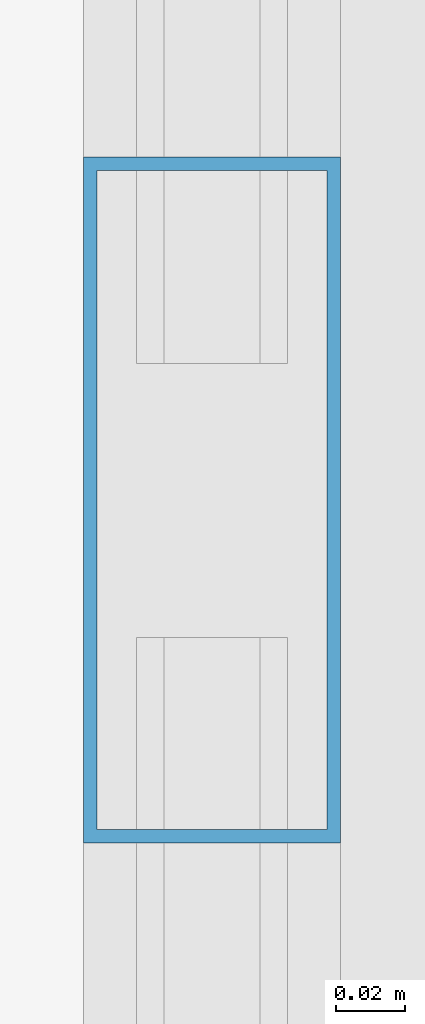
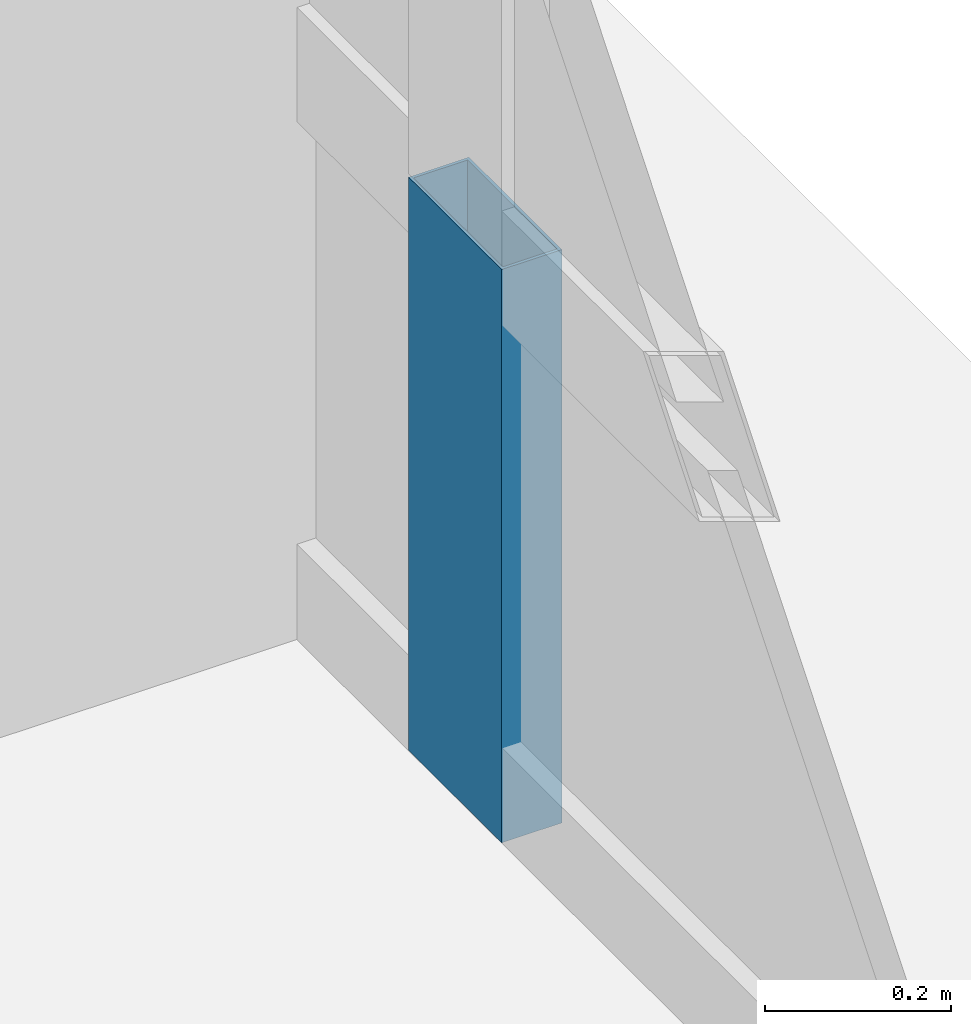
# One storey, part 25 of 35: 1 member, 1 element without a shape of its own.
"""IFC4 building model written with IfcOpenShell, lengths in metres."""

from ifc_helpers import new_model, si_unit, direction, frame, origin, origin_2d, place, context, subcontext, project, spatial, hollow_rectangle, extrude, source, transform, mapped, material, layer, layer_set, material_profile, profile_set, type_object, element, aggregate, save


model = new_model("IFC4")

# Units and contexts
model_context = context("Model", 3, precision=1e-05, world=origin(), true_north=direction((0.0, 1.0)))
body_context = subcontext(model_context, "Body", "Model", "MODEL_VIEW")
ifc_project = project(units=[si_unit("LENGTHUNIT", "METRE"), si_unit("AREAUNIT", "SQUARE_METRE"), si_unit("VOLUMEUNIT", "CUBIC_METRE"), si_unit("PLANEANGLEUNIT", "RADIAN"), si_unit("MASSUNIT", "GRAM", prefix="KILO"), si_unit("THERMODYNAMICTEMPERATUREUNIT", "KELVIN"), si_unit("POWERUNIT", "WATT")], contexts=[model_context])

# Site, building, storey
site_placement = place(None, origin())
site = spatial("IfcSite", under=ifc_project, at=site_placement, CompositionType="ELEMENT")
building_placement = place(site_placement, origin())
building = spatial("IfcBuilding", under=site, at=building_placement, Name="Yuzanri Waterfront Tower", CompositionType="ELEMENT")
storey_placement = place(building_placement, frame((0.0, 0.0, 314.699951171875)))
storey = spatial("IfcBuildingStorey", under=building, at=storey_placement, Name="L84", CompositionType="ELEMENT", Elevation=314.699951171875)

# Curtain wall, member
ifc_material_1 = material(Name="Anodized Architectural Bronze", Category="metal")
ifc_layer = layer(ifc_material_1, 0.159912109375)
ifc_layer_set = layer_set([ifc_layer], Name="Anodized Architectural Bronze")
curtain_wall_type = type_object("IfcCurtainWallType", Name="Anodized Bronze High-Rise Penthouse High-Wind Unitized Curtain Wall 6900", PredefinedType="NOTDEFINED", material=ifc_layer_set)
curtain_wall_placement = place(storey_placement, origin())
curtain_wall = element("IfcCurtainWall", 1, at=curtain_wall_placement, inside=storey, type_object=curtain_wall_type, Name="L84 Curtain Wall CW-L84-ER", PredefinedType="NOTDEFINED")
ifc_material_2 = material(Name="Anodized Architectural Bronze", Category="metal")
ifc_material_profile = material_profile(ifc_material_2, hollow_rectangle(XDim=0.074951171875, YDim=0.199951171875, WallThickness=0.00390625, at=origin_2d()), Name="CWM 75x200")
ifc_profile_set = profile_set([ifc_material_profile], Name="Anodized Architectural Bronze")
member_type = type_object("IfcMemberType", Name="Anodized Bronze Primary Curtain-Wall Mullion 75x200", PredefinedType="MULLION", material=ifc_profile_set)
shared_shape = source(origin(), body_context, "Body", "SweptSolid", [
    extrude(hollow_rectangle(XDim=0.074951171875, YDim=0.199951171875, WallThickness=0.00390625, at=origin_2d()), origin(), (0.0, 0.0, 1.0), 0.751953125),
])
member_placement = place(storey_placement, frame((55.949951171875, 31.85009765625, 0.0), z_axis=(0.0, 0.0, 1.0), x_axis=(1.0, 0.0, 0.0)))
member = element("IfcMember", 2, at=member_placement, type_object=member_type, Name="CW-L84-ER Lower Mullion 01", PredefinedType="MULLION", context=body_context, shape_type="MappedRepresentation", body=[
    mapped(shared_shape, transform((0.0, 0.0, 0.0), scale=1.0)),
])
aggregate(curtain_wall, [member])

save(model, "model.ifc")
